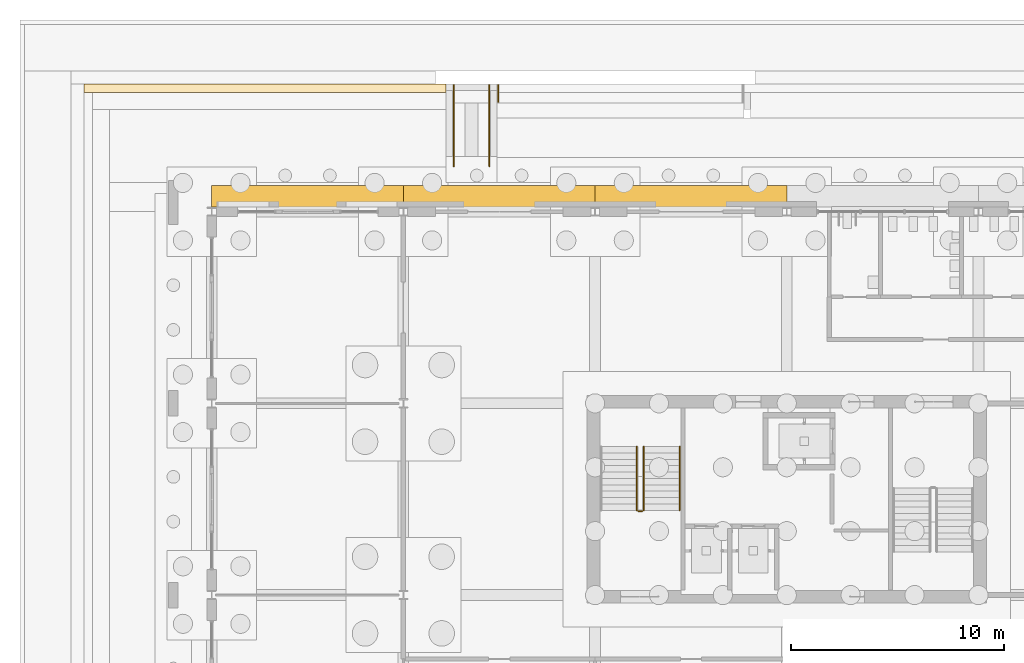
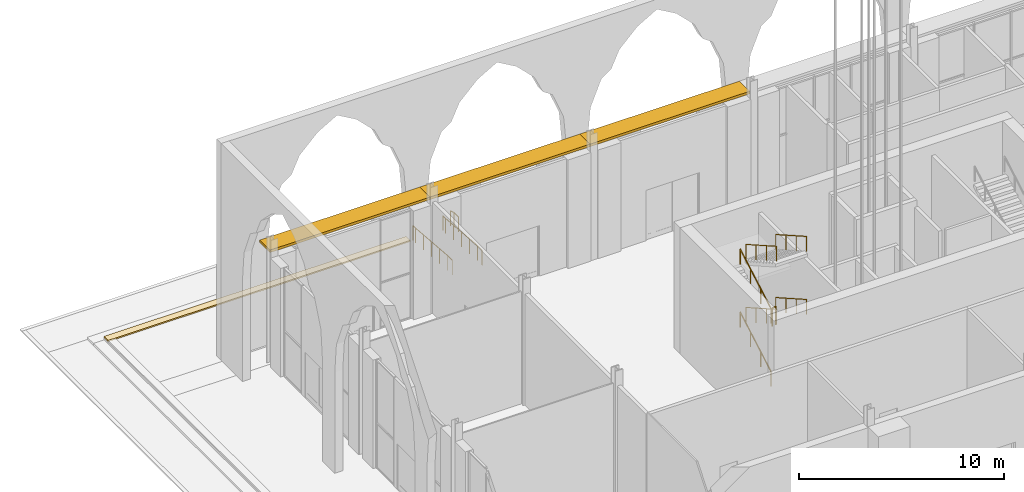
# One storey, part 220 of 250: 10 railings, 3 shading devices, 1 covering.
"""IFC4 building model written with IfcOpenShell, lengths in metres."""

from ifc_helpers import new_model, si_unit, direction, frame, origin, origin_2d, place, context, subcontext, project, spatial, polyline, rectangle, circle, outline, extrude, material, layer, layer_set, type_object, element, save


model = new_model("IFC4")

# Units and contexts
model_context = context("Model", 3, precision=1e-05, world=origin(), true_north=direction((0.0, 1.0)))
body_context = subcontext(model_context, "Body", "Model", "MODEL_VIEW")
ifc_project = project(units=[si_unit("LENGTHUNIT", "METRE"), si_unit("AREAUNIT", "SQUARE_METRE"), si_unit("VOLUMEUNIT", "CUBIC_METRE"), si_unit("PLANEANGLEUNIT", "RADIAN"), si_unit("MASSUNIT", "GRAM", prefix="KILO")], contexts=[model_context])

# Site, building, storey
site_placement = place(None, origin())
site = spatial("IfcSite", under=ifc_project, at=site_placement, CompositionType="ELEMENT")
building_placement = place(site_placement, origin())
building = spatial("IfcBuilding", under=site, at=building_placement, Name="Baradari Gate Terminus", CompositionType="ELEMENT")
storey_placement = place(building_placement, origin())
storey = spatial("IfcBuildingStorey", under=building, at=storey_placement, Name="L00", CompositionType="ELEMENT", Elevation=0.0)

# Shading devices
ifc_material_1 = material(Name="Concrete C40/50 precast", Category="concrete")
ifc_layer_1 = layer(ifc_material_1, 0.14990234375)
ifc_layer_set_1 = layer_set([ifc_layer_1], Name="Concrete C40/50 precast")
shading_device_type = type_object("IfcShadingDeviceType", Name="Chhajja eave CJ-2 1000x150", PredefinedType="AWNING", material=ifc_layer_set_1)
for number, where, z_axis, x_axis, name in (
    (1, (13.5, 144.72509765625, 6.459716796875), (0.0, 0.0, 1.0), (1.0, 0.0, 0.0), "Operations block base chhajja cornice bay 1"),
    (2, (22.5, 144.72509765625, 6.459716796875), (0.0, 0.0, 1.0), (1.0, 0.0, 0.0), "Operations block base chhajja cornice bay 2"),
    (3, (31.5, 144.72509765625, 6.459716796875), (0.0, 0.0, 1.0), (1.0, 0.0, 0.0), "Operations block base chhajja cornice bay 3"),
):
    element("IfcShadingDevice", number, at=place(storey_placement, frame(where, z_axis=z_axis, x_axis=x_axis)), inside=storey, type_object=shading_device_type, Name=name, PredefinedType="AWNING", context=body_context, shape_type="SweptSolid", body=[
        extrude(rectangle(XDim=9.0, YDim=1.0, at=origin_2d()), origin(), (0.0, 0.0, 1.0), 0.14990234375),
    ])

# Railings
ifc_material_2 = material(Name="Stainless steel 1.4301", Category="steel")
railing_type_1 = type_object("IfcRailingType", Name="Guard GR-1 1100", PredefinedType="GUARDRAIL", material=ifc_material_2)
railing_1_placement = place(storey_placement, frame((29.22509765625, 129.945068359375, 3.75)))
element("IfcRailing", 4, at=railing_1_placement, inside=storey, type_object=railing_type_1, Name="Landing guard ST-T1 L00", PredefinedType="GUARDRAIL", context=body_context, shape_type="SweptSolid", body=[
    extrude(circle(Radius=0.02392578125, at=origin_2d()), frame((0.0, 0.0, 1.076171875), z_axis=(-1.0, 0.0, 0.0), x_axis=(0.0, -1.0, 0.0)), (0.0, 0.0, 1.0), 0.2001953125),
    extrude(circle(Radius=0.02099609375, at=origin_2d()), origin(), (0.0, 0.0, 1.0), 1.052001953125),
    extrude(circle(Radius=0.02099609375, at=origin_2d()), frame((-0.2001953125, 0.0, 0.0)), (0.0, 0.0, 1.0), 1.052001953125),
])
ifc_material_3 = material(Name="Stainless steel 1.4301", Category="steel")
railing_type_2 = type_object("IfcRailingType", Name="Handrail HR-1 900", PredefinedType="HANDRAIL", material=ifc_material_3)
railing_2_placement = place(storey_placement, frame((28.965087890625, 129.97509765625, 0.17041015625)))
element("IfcRailing", 5, at=railing_2_placement, inside=storey, type_object=railing_type_2, Name="Handrail ST-T1 L00 flight 1", PredefinedType="HANDRAIL", context=body_context, shape_type="SweptSolid", body=[
    extrude(circle(Radius=0.02392578125, at=origin_2d()), frame((0.0, 0.0, 0.8759765625), z_axis=(0.0, 0.869451031676, 0.494019132744), x_axis=(-1.0, 0.0, 0.0)), (0.0, 0.0, 1.0), 3.450439453125),
    extrude(circle(Radius=0.02099609375, at=origin_2d()), origin(), (0.0, 0.0, 1.0), 0.851806640625),
    extrude(circle(Radius=0.02099609375, at=origin_2d()), frame((0.0, 1.0, 0.568115234375)), (0.0, 0.0, 1.0), 0.851806640625),
    extrude(circle(Radius=0.02099609375, at=origin_2d()), frame((0.0, 2.0, 1.136474609375)), (0.0, 0.0, 1.0), 0.851806640625),
    extrude(circle(Radius=0.02099609375, at=origin_2d()), frame((0.0, 3.0, 1.70458984375)), (0.0, 0.0, 1.0), 0.851806640625),
])
for number, where, name in (
    (6, (29.284912109375, 132.97509765625, 2.04541015625), "Handrail ST-T1 L00 flight 2"),
    (7, (30.965087890625, 132.97509765625, 2.04541015625), "Handrail ST-T1 L00 flight 2"),
):
    element("IfcRailing", number, at=place(storey_placement, frame(where)), inside=storey, type_object=railing_type_2, Name=name, PredefinedType="HANDRAIL", context=body_context, shape_type="SweptSolid", body=[
        extrude(circle(Radius=0.02392578125, at=origin_2d()), frame((0.0, 0.0, 0.8759765625), z_axis=(0.0, -0.869451031676, 0.494019132744), x_axis=(1.0, 0.0, 0.0)), (0.0, 0.0, 1.0), 3.450439453125),
        extrude(circle(Radius=0.02099609375, at=origin_2d()), origin(), (0.0, 0.0, 1.0), 0.851806640625),
        extrude(circle(Radius=0.02099609375, at=origin_2d()), frame((0.0, -1.0, 0.568115234375)), (0.0, 0.0, 1.0), 0.851806640625),
        extrude(circle(Radius=0.02099609375, at=origin_2d()), frame((0.0, -2.0, 1.136474609375)), (0.0, 0.0, 1.0), 0.851806640625),
        extrude(circle(Radius=0.02099609375, at=origin_2d()), frame((0.0, -3.0, 1.70458984375)), (0.0, 0.0, 1.0), 0.851806640625),
    ])
railing_3_placement = place(storey_placement, frame((28.965087890625, 129.97509765625, 3.92041015625)))
element("IfcRailing", 8, at=railing_3_placement, inside=storey, type_object=railing_type_2, Name="Handrail ST-T1 L00 flight 3", PredefinedType="HANDRAIL", context=body_context, shape_type="SweptSolid", body=[
    extrude(circle(Radius=0.02392578125, at=origin_2d()), frame((0.0, 0.0, 0.8759765625), z_axis=(0.0, 0.869451031676, 0.494019132744), x_axis=(-1.0, 0.0, 0.0)), (0.0, 0.0, 1.0), 3.450439453125),
    extrude(circle(Radius=0.02099609375, at=origin_2d()), origin(), (0.0, 0.0, 1.0), 0.851806640625),
    extrude(circle(Radius=0.02099609375, at=origin_2d()), frame((0.0, 1.0, 0.568115234375)), (0.0, 0.0, 1.0), 0.851806640625),
    extrude(circle(Radius=0.02099609375, at=origin_2d()), frame((0.0, 2.0, 1.136474609375)), (0.0, 0.0, 1.0), 0.851806640625),
    extrude(circle(Radius=0.02099609375, at=origin_2d()), frame((0.0, 3.0, 1.70458984375)), (0.0, 0.0, 1.0), 0.851806640625),
])
for number, where, name in (
    (9, (29.284912109375, 132.97509765625, 5.79541015625), "Handrail ST-T1 L00 flight 4"),
    (10, (30.965087890625, 132.97509765625, 5.79541015625), "Handrail ST-T1 L00 flight 4"),
):
    element("IfcRailing", number, at=place(storey_placement, frame(where)), inside=storey, type_object=railing_type_2, Name=name, PredefinedType="HANDRAIL", context=body_context, shape_type="SweptSolid", body=[
        extrude(circle(Radius=0.02392578125, at=origin_2d()), frame((0.0, 0.0, 0.8759765625), z_axis=(0.0, -0.869451031676, 0.494019132744), x_axis=(1.0, 0.0, 0.0)), (0.0, 0.0, 1.0), 3.450439453125),
        extrude(circle(Radius=0.02099609375, at=origin_2d()), origin(), (0.0, 0.0, 1.0), 0.851806640625),
        extrude(circle(Radius=0.02099609375, at=origin_2d()), frame((0.0, -1.0, 0.568115234375)), (0.0, 0.0, 1.0), 0.851806640625),
        extrude(circle(Radius=0.02099609375, at=origin_2d()), frame((0.0, -2.0, 1.136474609375)), (0.0, 0.0, 1.0), 0.851806640625),
        extrude(circle(Radius=0.02099609375, at=origin_2d()), frame((0.0, -3.0, 1.70458984375)), (0.0, 0.0, 1.0), 0.851806640625),
    ])
railing_4_placement = place(storey_placement, frame((22.4599609375, 149.949951171875, -0.11376953125)))
element("IfcRailing", 11, at=railing_4_placement, inside=storey, type_object=railing_type_2, Name="Handrail of North-west gate steps 1", PredefinedType="HANDRAIL", context=body_context, shape_type="SweptSolid", body=[
    extrude(circle(Radius=0.02392578125, at=origin_2d()), frame((0.0, 0.0, 0.8759765625), z_axis=(0.0, -0.950980408871, 0.309251130868), x_axis=(1.0, 0.0, 0.0)), (0.0, 0.0, 1.0), 0.367919921875),
    extrude(circle(Radius=0.02392578125, at=origin_2d()), frame((0.0, -0.349853515625, 0.98974609375), z_axis=(0.0, -1.0, 0.0), x_axis=(1.0, 0.0, 0.0)), (0.0, 0.0, 1.0), 0.4501953125),
    extrude(circle(Radius=0.02099609375, at=origin_2d()), origin(), (0.0, 0.0, 1.0), 0.851806640625),
    extrude(circle(Radius=0.02099609375, at=origin_2d()), frame((0.0, -0.349853515625, 0.11376953125)), (0.0, 0.0, 1.0), 0.851806640625),
    extrude(circle(Radius=0.02099609375, at=origin_2d()), frame((0.0, -0.800048828125, 0.11376953125)), (0.0, 0.0, 1.0), 0.851806640625),
])
for number, where, name in (
    (12, (20.360107421875, 149.949951171875, -0.260009765625), "Handrail of North-west gate ramp 1"),
    (13, (22.0400390625, 149.949951171875, -0.260009765625), "Handrail of North-west gate ramp 2"),
):
    element("IfcRailing", number, at=place(storey_placement, frame(where)), inside=storey, type_object=railing_type_2, Name=name, PredefinedType="HANDRAIL", context=body_context, shape_type="SweptSolid", body=[
        extrude(circle(Radius=0.02392578125, at=origin_2d()), frame((0.0, 0.0, 0.8759765625), z_axis=(0.0, -1.0, 0.0), x_axis=(1.0, 0.0, 0.0)), (0.0, 0.0, 1.0), 0.25),
        extrude(circle(Radius=0.02392578125, at=origin_2d()), frame((0.0, -0.25, 0.8759765625), z_axis=(0.0, -0.99654522041, 0.083051933621), x_axis=(1.0, 0.0, 0.0)), (0.0, 0.0, 1.0), 3.130615234375),
        extrude(circle(Radius=0.02392578125, at=origin_2d()), frame((0.0, -3.369873046875, 1.1357421875), z_axis=(0.0, -1.0, 0.0), x_axis=(1.0, 0.0, 0.0)), (0.0, 0.0, 1.0), 0.4501953125),
        extrude(circle(Radius=0.02099609375, at=origin_2d()), origin(), (0.0, 0.0, 1.0), 0.851806640625),
        extrude(circle(Radius=0.02099609375, at=origin_2d()), frame((0.0, -0.25, 0.0)), (0.0, 0.0, 1.0), 0.851806640625),
        extrude(circle(Radius=0.02099609375, at=origin_2d()), frame((0.0, -1.030029296875, 0.06494140625)), (0.0, 0.0, 1.0), 0.851806640625),
        extrude(circle(Radius=0.02099609375, at=origin_2d()), frame((0.0, -1.81005859375, 0.1298828125)), (0.0, 0.0, 1.0), 0.851806640625),
        extrude(circle(Radius=0.02099609375, at=origin_2d()), frame((0.0, -2.58984375, 0.195068359375)), (0.0, 0.0, 1.0), 0.851806640625),
        extrude(circle(Radius=0.02099609375, at=origin_2d()), frame((0.0, -3.369873046875, 0.260009765625)), (0.0, 0.0, 1.0), 0.851806640625),
        extrude(circle(Radius=0.02099609375, at=origin_2d()), frame((0.0, -3.820068359375, 0.260009765625)), (0.0, 0.0, 1.0), 0.851806640625),
    ])

# Covering
ifc_material_4 = material(Name="Sandstone", Category="masonry")
ifc_layer_2 = layer(ifc_material_4, 0.080078125)
ifc_layer_set_2 = layer_set([ifc_layer_2], Name="Sandstone")
covering_type = type_object("IfcCoveringType", Name="Stone coping CG-1 80", PredefinedType="CLADDING", material=ifc_layer_set_2)
covering_placement = place(storey_placement, origin())
element("IfcCovering", 14, at=covering_placement, inside=storey, type_object=covering_type, Name="Stone coping N1", PredefinedType="CLADDING", context=body_context, shape_type="SweptSolid", body=[
    extrude(outline(polyline([(20.0, 149.60009765625), (20.0, 150.0), (3.0, 150.0), (3.0, 149.60009765625), (20.0, 149.60009765625)])), origin(), (0.0, 0.0, 1.0), 0.080078125),
])

save(model, "model.ifc")
